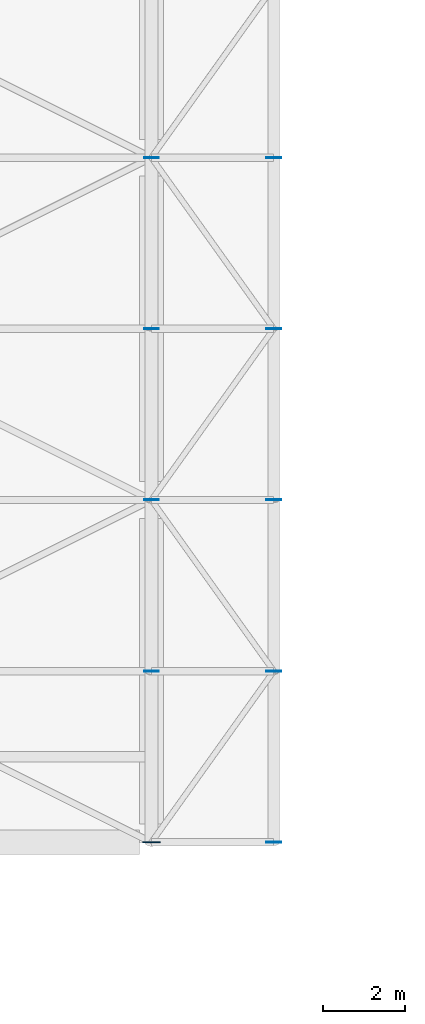
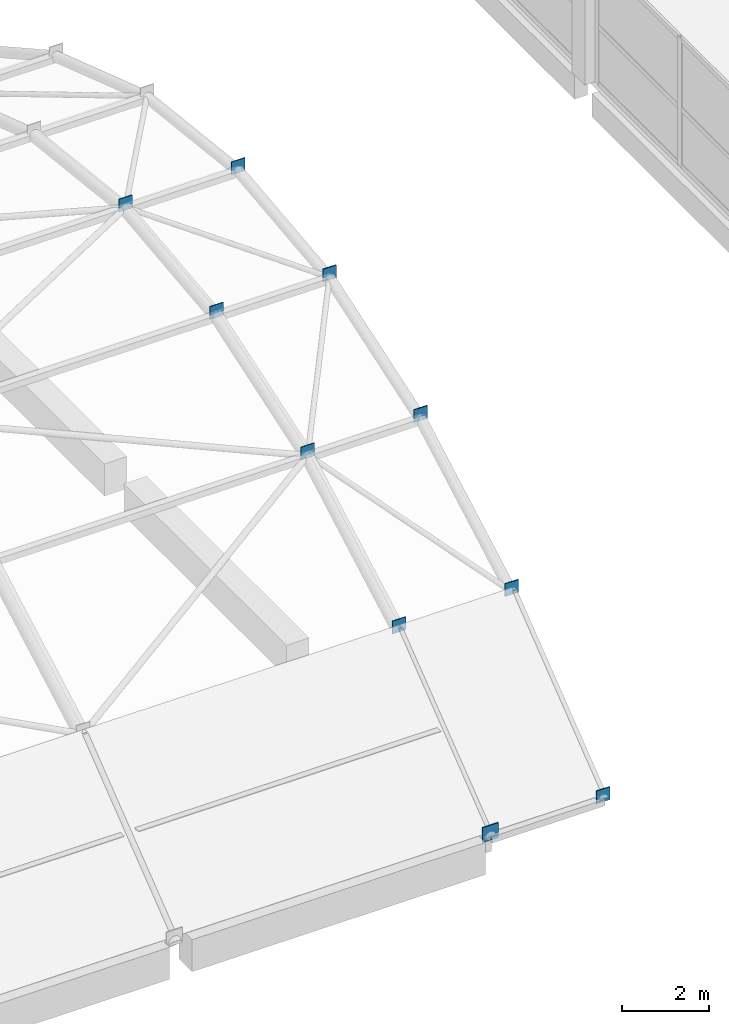
# One storey, part 25 of 38: 10 plates.
"""IFC4 building model written with IfcOpenShell, lengths in metres."""

from ifc_helpers import new_model, si_unit, direction, frame, origin, origin_2d, place, context, subcontext, project, spatial, rectangle, extrude, material, layer, layer_set, type_object, element, save


model = new_model("IFC4")

# Units and contexts
model_context = context("Model", 3, precision=1e-05, world=origin(), true_north=direction((0.0, 1.0)))
body_context = subcontext(model_context, "Body", "Model", "MODEL_VIEW")
ifc_project = project(units=[si_unit("LENGTHUNIT", "METRE"), si_unit("AREAUNIT", "SQUARE_METRE"), si_unit("VOLUMEUNIT", "CUBIC_METRE"), si_unit("PLANEANGLEUNIT", "RADIAN"), si_unit("MASSUNIT", "GRAM", prefix="KILO")], contexts=[model_context])

# Site, building, storey
site_placement = place(None, origin())
site = spatial("IfcSite", under=ifc_project, at=site_placement, CompositionType="ELEMENT")
building_placement = place(site_placement, origin())
building = spatial("IfcBuilding", under=site, at=building_placement, Name="Brinegate Botanical Conservatory", CompositionType="ELEMENT")
storey_placement = place(building_placement, frame((0.0, 0.0, 10.199951171875)))
storey = spatial("IfcBuildingStorey", under=building, at=storey_placement, Name="L03", CompositionType="ELEMENT", Elevation=10.199951171875)

# Plates
ifc_material = material(Name="Welded node steel Q355GJ / S355", Category="steel")
ifc_layer_1 = layer(ifc_material, 0.028076171875, Name="Welded node steel Q355GJ / S355", Category="steel")
ifc_layer_set_1 = layer_set([ifc_layer_1], Name="Welded node steel Q355GJ / S355")
plate_type_1 = type_object("IfcPlateType", Name="Plate_CSN-01", PredefinedType="USERDEFINED", material=ifc_layer_set_1)
plate_placement = place(storey_placement, frame((33.60009765625, 78.39990234375, -0.2099609375), z_axis=(0.0, 0.0, 1.0), x_axis=(1.0, 0.0, 0.0)))
element("IfcPlate", 1, at=plate_placement, inside=storey, type_object=plate_type_1, Name="Gridshell welded hub node CSN-01 WP-037", ObjectType="GUSSET PLATE", PredefinedType="USERDEFINED", context=body_context, shape_type="SweptSolid", body=[
    extrude(rectangle(XDim=0.419921875, YDim=0.028076171875, at=origin_2d()), origin(), (0.0, 0.0, 1.0), 0.419921875),
])
ifc_layer_2 = layer(ifc_material, 0.02392578125, Name="Welded node steel Q355GJ / S355", Category="steel")
ifc_layer_set_2 = layer_set([ifc_layer_2], Name="Welded node steel Q355GJ / S355")
plate_type_2 = type_object("IfcPlateType", Name="Plate_WSN-01", PredefinedType="USERDEFINED", material=ifc_layer_set_2)
for number, where, z_axis, x_axis, name in (
    (2, (33.60009765625, 82.60009765625, 3.10107421875), (0.0, 0.0, 1.0), (1.0, 0.0, 0.0), "Gridshell welded hub node WSN-01 WP-038"),
    (3, (33.60009765625, 86.800048828125, 5.44482421875), (0.0, 0.0, 1.0), (1.0, 0.0, 0.0), "Gridshell welded hub node WSN-01 WP-039"),
    (4, (33.60009765625, 91.0, 6.85107421875), (0.0, 0.0, 1.0), (1.0, 0.0, 0.0), "Gridshell welded hub node WSN-01 WP-040"),
    (5, (33.60009765625, 95.199951171875, 7.31982421875), (0.0, 0.0, 1.0), (1.0, 0.0, 0.0), "Gridshell welded hub node WSN-01 WP-041"),
    (6, (36.60009765625, 78.39990234375, -0.18017578125), (0.0, 0.0, 1.0), (1.0, 0.0, 0.0), "Gridshell welded hub node WSN-01 WP-046"),
    (7, (36.60009765625, 82.60009765625, 3.10107421875), (0.0, 0.0, 1.0), (1.0, 0.0, 0.0), "Gridshell welded hub node WSN-01 WP-047"),
    (8, (36.60009765625, 86.800048828125, 5.44482421875), (0.0, 0.0, 1.0), (1.0, 0.0, 0.0), "Gridshell welded hub node WSN-01 WP-048"),
    (9, (36.60009765625, 91.0, 6.85107421875), (0.0, 0.0, 1.0), (1.0, 0.0, 0.0), "Gridshell welded hub node WSN-01 WP-049"),
    (10, (36.60009765625, 95.199951171875, 7.31982421875), (0.0, 0.0, 1.0), (1.0, 0.0, 0.0), "Gridshell welded hub node WSN-01 WP-050"),
):
    element("IfcPlate", number, at=place(storey_placement, frame(where, z_axis=z_axis, x_axis=x_axis)), inside=storey, type_object=plate_type_2, Name=name, ObjectType="GUSSET PLATE", PredefinedType="USERDEFINED", context=body_context, shape_type="SweptSolid", body=[
        extrude(rectangle(XDim=0.360107421875, YDim=0.02392578125, at=origin_2d()), origin(), (0.0, 0.0, 1.0), 0.360107421875),
    ])

save(model, "model.ifc")
